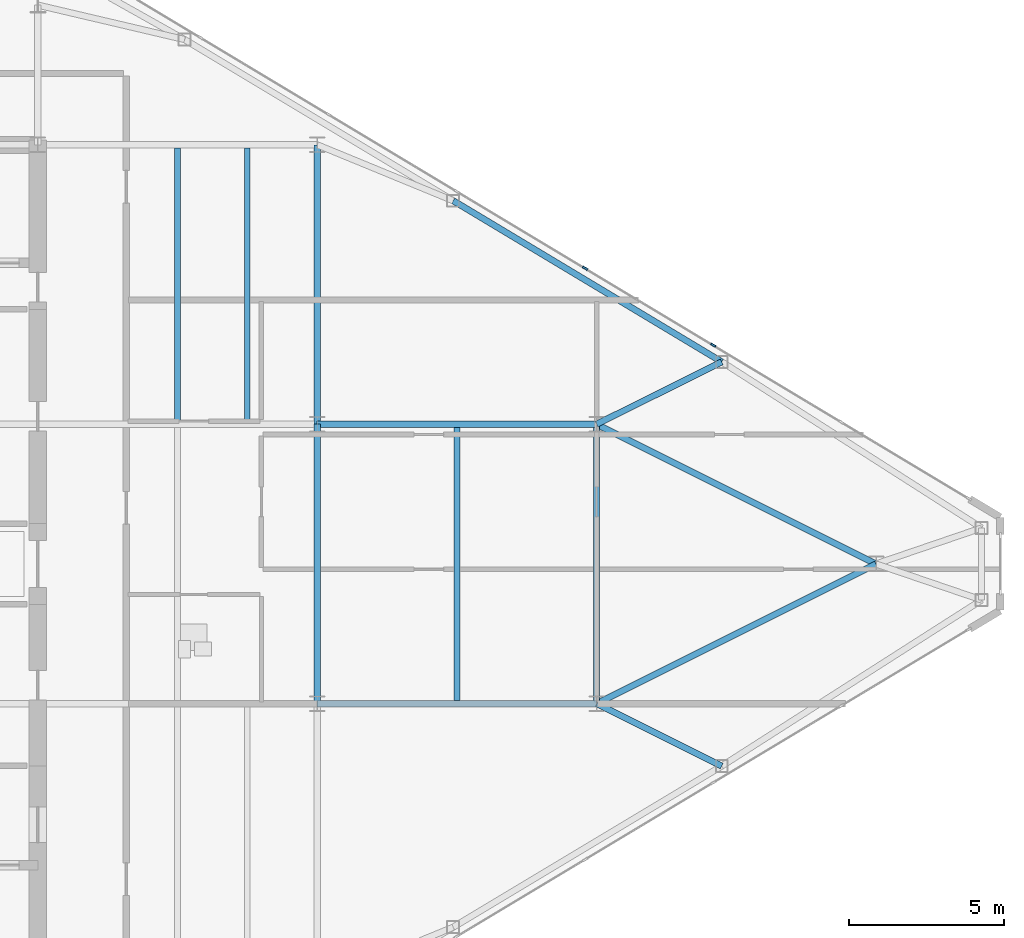
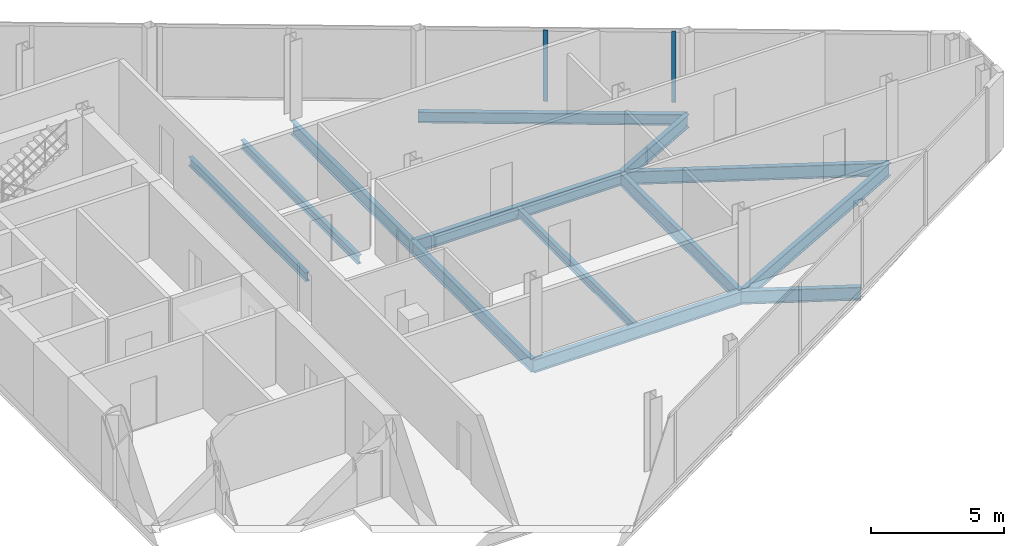
# One storey, part 14 of 25: 13 beams, 2 members, 1 element without a shape of its own.
"""IFC4 building model written with IfcOpenShell, lengths in metres."""

from ifc_helpers import new_model, si_unit, direction, frame, origin, origin_2d, place, context, subcontext, project, spatial, rectangle, i_section, extrude, source, transform, mapped, material, layer, layer_set, material_profile, profile_set, type_object, type_shapes, element, aggregate, save


model = new_model("IFC4")

# Units and contexts
model_context = context("Model", 3, precision=1e-05, world=origin(), true_north=direction((0.0, 1.0)))
body_context = subcontext(model_context, "Body", "Model", "MODEL_VIEW")
ifc_project = project(units=[si_unit("LENGTHUNIT", "METRE"), si_unit("AREAUNIT", "SQUARE_METRE"), si_unit("VOLUMEUNIT", "CUBIC_METRE"), si_unit("PLANEANGLEUNIT", "RADIAN"), si_unit("MASSUNIT", "GRAM", prefix="KILO")], contexts=[model_context])

# Site, building, storey
site_placement = place(None, origin())
site = spatial("IfcSite", under=ifc_project, at=site_placement, CompositionType="ELEMENT")
building_placement = place(site_placement, origin())
building = spatial("IfcBuilding", under=site, at=building_placement, Name="Seokmaru Belvedere", CompositionType="ELEMENT")
storey_placement = place(building_placement, frame((0.0, 0.0, 203.10009765625)))
storey = spatial("IfcBuildingStorey", under=building, at=storey_placement, Name="L54", CompositionType="ELEMENT", Elevation=203.10009765625)

# Beams
ifc_material_1 = material(Name="Steel SM355 (355 MPa)", Category="steel")
ifc_material_profile_1 = material_profile(ifc_material_1, i_section(OverallWidth=0.199951171875, OverallDepth=0.60009765625, WebThickness=0.010986328125, FlangeThickness=0.01708984375, at=origin_2d()), Name="H-600x200x11x17")
ifc_profile_set_1 = profile_set([ifc_material_profile_1], Name="Steel SM355 (355 MPa)")
beam_type_1 = type_object("IfcBeamType", Name="Primary Floor Girder H-600", PredefinedType="BEAM", material=ifc_profile_set_1)
shared_shape_1 = source(origin(), body_context, "Body", "SweptSolid", [
    extrude(i_section(OverallWidth=0.199951171875, OverallDepth=0.60009765625, WebThickness=0.010986328125, FlangeThickness=0.01708984375, at=origin_2d()), origin(), (0.0, 0.0, 1.0), 9.0),
])
for number, where, z_axis, x_axis, name in (
    (1, (45.5, -4.5, -0.52001953125), (0.0, 1.0, 0.0), (-1.0, 0.0, 0.0), "L54 E Interior Grid Girder 2"),
    (2, (45.5, 4.5, -0.52001953125), (0.0, 1.0, 0.0), (-1.0, 0.0, 0.0), "L54 E Interior Grid Girder 3"),
    (3, (45.5, -4.5, -0.52001953125), (1.0, 0.0, 0.0), (0.0, 1.0, 0.0), "L54 E Outer Wing Girder 1"),
    (4, (45.5, 4.5, -0.52001953125), (1.0, 0.0, 0.0), (0.0, 1.0, 0.0), "L54 E Outer Wing Girder 2"),
    (5, (54.5, -4.5, -0.52001953125), (0.0, 1.0, 0.0), (-1.0, 0.0, 0.0), "L54 E Apex Frame Girder"),
):
    element("IfcBeam", number, at=place(storey_placement, frame(where, z_axis=z_axis, x_axis=x_axis)), inside=storey, type_object=beam_type_1, Name=name, PredefinedType="BEAM", context=body_context, shape_type="MappedRepresentation", body=[
        mapped(shared_shape_1, transform((0.0, 0.0, 0.0), scale=1.0)),
    ])
shared_shape_2 = source(origin(), body_context, "Body", "SweptSolid", [
    extrude(i_section(OverallWidth=0.199951171875, OverallDepth=0.60009765625, WebThickness=0.010986328125, FlangeThickness=0.01708984375, at=origin_2d()), origin(), (0.0, 0.0, 1.0), 10.062255859375),
])
for number, where, z_axis, x_axis, name in (
    (6, (54.5, -4.5, -0.52001953125), (0.894427191, 0.4472135955, 0.0), (-0.4472135955, 0.894427191, 0.0), "L54 E Apex Converging Girder 1"),
    (7, (54.5, 4.5, -0.52001953125), (0.894427191, -0.4472135955, 0.0), (0.4472135955, 0.894427191, 0.0), "L54 E Apex Converging Girder 2"),
):
    element("IfcBeam", number, at=place(storey_placement, frame(where, z_axis=z_axis, x_axis=x_axis)), inside=storey, type_object=beam_type_1, Name=name, PredefinedType="BEAM", context=body_context, shape_type="MappedRepresentation", body=[
        mapped(shared_shape_2, transform((0.0, 0.0, 0.0), scale=1.0)),
    ])
ifc_material_profile_2 = material_profile(ifc_material_1, i_section(OverallWidth=0.18505859375, OverallDepth=0.389892578125, WebThickness=0.008056640625, FlangeThickness=0.011962890625, at=origin_2d()), Name="H-390x185x8x12")
ifc_profile_set_2 = profile_set([ifc_material_profile_2], Name="Steel SM355 (355 MPa)")
beam_type_2 = type_object("IfcBeamType", Name="Secondary Floor Joist H-350", PredefinedType="JOIST", material=ifc_profile_set_2)
shared_shape_3 = source(origin(), body_context, "Body", "SweptSolid", [
    extrude(i_section(OverallWidth=0.18505859375, OverallDepth=0.389892578125, WebThickness=0.008056640625, FlangeThickness=0.011962890625, at=origin_2d()), origin(), (0.0, 0.0, 1.0), 8.7900390625),
])
type_shapes(beam_type_2, [shared_shape_3])
for number, where, z_axis, x_axis, name in (
    (8, (43.25, 4.60498046875, -0.4150390625), (0.0, 1.0, 0.0), (-1.0, 0.0, 0.0), "L54 E Wing Inner Secondary Joist 2"),
    (9, (41.0, 4.60498046875, -0.4150390625), (0.0, 1.0, 0.0), (-1.0, 0.0, 0.0), "L54 E Secondary Floor Joist 3"),
    (10, (50.0, -4.39501953125, -0.4150390625), (0.0, 1.0, 0.0), (-1.0, 0.0, 0.0), "L54 E Outer Bay Secondary Joist"),
):
    element("IfcBeam", number, at=place(storey_placement, frame(where, z_axis=z_axis, x_axis=x_axis)), inside=storey, type_object=beam_type_2, Name=name, PredefinedType="JOIST", context=body_context, shape_type="MappedRepresentation", body=[
        mapped(shared_shape_3, transform((0.0, 0.0, 0.0), scale=1.0)),
    ])
ifc_material_profile_3 = material_profile(ifc_material_1, i_section(OverallWidth=0.199951171875, OverallDepth=0.5, WebThickness=0.010009765625, FlangeThickness=0.01611328125, at=origin_2d()), Name="H-500x200x10x16")
ifc_profile_set_3 = profile_set([ifc_material_profile_3], Name="Steel SM355 (355 MPa)")
beam_type_3 = type_object("IfcBeamType", Name="Perimeter Spandrel Beam H-500", PredefinedType="SPANDREL", material=ifc_profile_set_3)
shared_shape_4 = source(origin(), body_context, "Body", "SweptSolid", [
    extrude(i_section(OverallWidth=0.199951171875, OverallDepth=0.5, WebThickness=0.010009765625, FlangeThickness=0.01611328125, at=origin_2d()), origin(), (0.0, 0.0, 1.0), 10.087646484375),
])
type_shapes(beam_type_3, [shared_shape_4])
beam_placement = place(storey_placement, frame((49.8798828125, 11.698974609375, -0.47021484375), z_axis=(0.857488654804, -0.514502873542, 0.0), x_axis=(0.514502873542, 0.857488654804, 0.0)))
element("IfcBeam", 11, at=beam_placement, inside=storey, type_object=beam_type_3, Name="L54 E Faceted Flank Spandrel N-3", PredefinedType="SPANDREL", context=body_context, shape_type="MappedRepresentation", body=[
    mapped(shared_shape_4, transform((0.0, 0.0, 0.0), scale=1.0)),
])
shared_shape_5 = source(origin(), body_context, "Body", "SweptSolid", [
    extrude(i_section(OverallWidth=0.199951171875, OverallDepth=0.60009765625, WebThickness=0.010986328125, FlangeThickness=0.01708984375, at=origin_2d()), origin(), (0.0, 0.0, 1.0), 4.5029296875),
])
type_shapes(beam_type_1, [shared_shape_1, shared_shape_2, shared_shape_5])
for number, where, z_axis, x_axis, name in (
    (12, (58.530029296875, -6.5087890625, -0.52001953125), (-0.894979532585, 0.446107202648, 0.0), (-0.446107202648, -0.894979532585, 0.0), "L54 E Flank Radial Floor Girder S-3"),
    (13, (58.530029296875, 6.5087890625, -0.52001953125), (-0.894979532585, -0.446107202648, 0.0), (0.446107202648, -0.894979532585, 0.0), "L54 E Flank Radial Floor Girder N-3"),
):
    element("IfcBeam", number, at=place(storey_placement, frame(where, z_axis=z_axis, x_axis=x_axis)), inside=storey, type_object=beam_type_1, Name=name, PredefinedType="BEAM", context=body_context, shape_type="MappedRepresentation", body=[
        mapped(shared_shape_5, transform((0.0, 0.0, 0.0), scale=1.0)),
    ])

# Curtain wall, members
ifc_material_2 = material(Name="Bronze Triple Insulating Glass", Category="glass")
ifc_layer = layer(ifc_material_2, 0.179931640625)
ifc_layer_set = layer_set([ifc_layer], Name="Bronze Triple Insulating Glass")
curtain_wall_type = type_object("IfcCurtainWallType", Name="High-Rise Wind-Corner Curtain Wall System CW-5", PredefinedType="NOTDEFINED", material=ifc_layer_set)
curtain_wall_placement = place(storey_placement, origin())
curtain_wall = element("IfcCurtainWall", 14, at=curtain_wall_placement, inside=storey, type_object=curtain_wall_type, Name="L54 Curtain Wall EF3", PredefinedType="NOTDEFINED")
ifc_material_3 = material(Name="Anodised Bronze Aluminium", Category="aluminium")
ifc_material_profile_4 = material_profile(ifc_material_3, rectangle(XDim=0.06494140625, YDim=0.179931640625, at=origin_2d()), Name="CW-M-65x180")
ifc_profile_set_4 = profile_set([ifc_material_profile_4], Name="Anodised Bronze Aluminium")
member_type = type_object("IfcMemberType", Name="Bronze Unitised Mullion 65x180", PredefinedType="MULLION", material=ifc_profile_set_4)
shared_shape_6 = source(origin(), body_context, "Body", "SweptSolid", [
    extrude(rectangle(XDim=0.06494140625, YDim=0.179931640625, at=origin_2d()), origin(), (0.0, 0.0, 1.0), 3.25),
])
type_shapes(member_type, [shared_shape_6])
member_1_placement = place(storey_placement, frame((58.257080078125, 7.0458984375, 0.06494140625), z_axis=(0.0, 0.0, 1.0), x_axis=(-0.514494909364, -0.85749343335, 0.0)))
member_1 = element("IfcMember", 15, at=member_1_placement, type_object=member_type, Name="CW:L54:EF3 Mullion 3", PredefinedType="MULLION", context=body_context, shape_type="MappedRepresentation", body=[
    mapped(shared_shape_6, transform((0.0, 0.0, 0.0), scale=1.0)),
])
member_2_placement = place(storey_placement, frame((54.12841796875, 9.52294921875, 0.06494140625), z_axis=(0.0, 0.0, 1.0), x_axis=(-0.514494909364, -0.85749343335, 0.0)))
member_2 = element("IfcMember", 16, at=member_2_placement, type_object=member_type, Name="CW:L54:EF3 Mullion 4", PredefinedType="MULLION", context=body_context, shape_type="MappedRepresentation", body=[
    mapped(shared_shape_6, transform((0.0, 0.0, 0.0), scale=1.0)),
])
aggregate(curtain_wall, [member_1, member_2])

save(model, "model.ifc")
